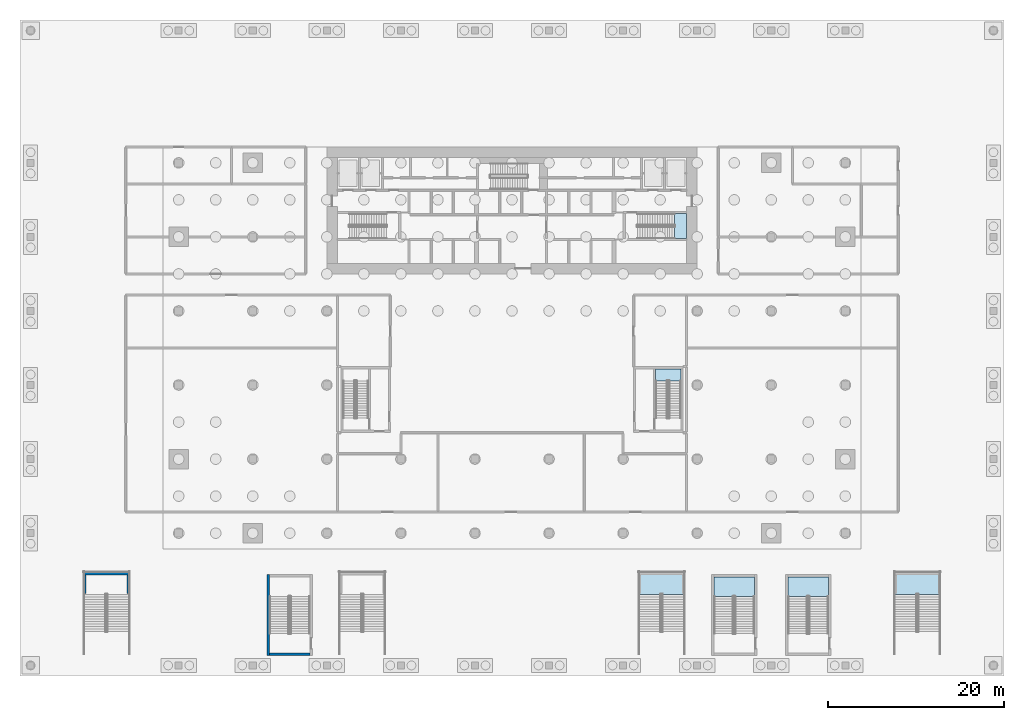
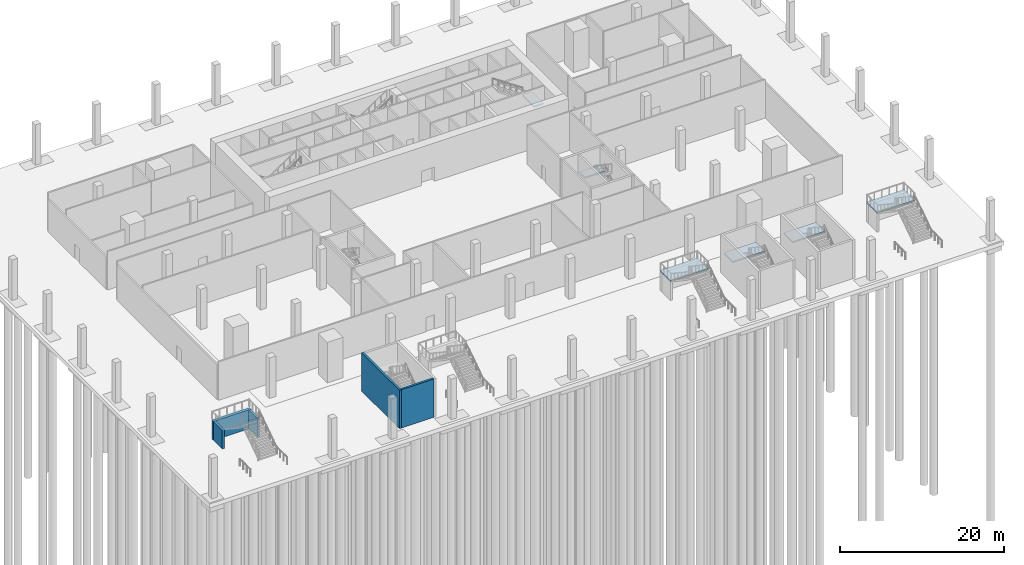
# One storey, part 3 of 16: 6 slabs, 5 walls, 6 elements without a shape of their own.
"""IFC4 building model written with IfcOpenShell, lengths in metres."""

from ifc_helpers import new_model, si_unit, direction, frame, frame_2d, origin, place, context, subcontext, project, spatial, polyline, rectangle, outline, extrude, material, layer, layer_set, type_object, element, aggregate, save


model = new_model("IFC4")

# Units and contexts
model_context = context("Model", 3, precision=1e-05, world=origin(), true_north=direction((0.0, 1.0)))
body_context = subcontext(model_context, "Body", "Model", "MODEL_VIEW")
ifc_project = project(units=[si_unit("LENGTHUNIT", "METRE"), si_unit("AREAUNIT", "SQUARE_METRE"), si_unit("VOLUMEUNIT", "CUBIC_METRE"), si_unit("PLANEANGLEUNIT", "RADIAN"), si_unit("MASSUNIT", "GRAM", prefix="KILO")], contexts=[model_context])

# Site, building, storey
site_placement = place(None, origin())
site = spatial("IfcSite", under=ifc_project, at=site_placement, CompositionType="ELEMENT")
building_placement = place(site_placement, origin())
building = spatial("IfcBuilding", under=site, at=building_placement, Name="Saffron Gate Tower", CompositionType="ELEMENT")
storey_placement = place(building_placement, frame((0.0, 0.0, -6.0)))
storey = spatial("IfcBuildingStorey", under=building, at=storey_placement, Name="B1", CompositionType="ELEMENT", Elevation=-6.0)

# Stair, slab
ifc_material_1 = material(Name="Concrete C40", Category="concrete")
stair_type_1 = type_object("IfcStairType", Name="ST1 Stair 2550 wide, 32 risers of 188", PredefinedType="HALF_TURN_STAIR", material=ifc_material_1)
stair_1_placement = place(storey_placement, origin())
stair_1 = element("IfcStair", 1, at=stair_1_placement, inside=storey, type_object=stair_type_1, Name="B1 Station stair 3", PredefinedType="HALF_TURN_STAIR")
ifc_layer_1 = layer(ifc_material_1, 0.199951171875)
ifc_layer_set_1 = layer_set([ifc_layer_1], Name="SL1 Stair landing 200")
slab_type = type_object("IfcSlabType", Name="SL1 Stair landing 200", PredefinedType="LANDING", material=ifc_layer_set_1)
slab_1_placement = place(storey_placement, frame((0.0, 0.0, 2.800048828125)))
slab_1 = element("IfcSlab", 2, at=slab_1_placement, type_object=slab_type, Name="SS3 landing 1", PredefinedType="LANDING", context=body_context, shape_type="SweptSolid", body=[
    extrude(outline(polyline([(107.199951171875, 24.85009765625), (107.199951171875, 27.449951171875), (101.949951171875, 27.449951171875), (101.949951171875, 24.85009765625), (107.199951171875, 24.85009765625)])), origin(), (0.0, 0.0, 1.0), 0.199951171875),
])
aggregate(stair_1, [slab_1])

stair_2_placement = place(storey_placement, origin())
stair_2 = element("IfcStair", 3, at=stair_2_placement, inside=storey, type_object=stair_type_1, Name="B1 Station stair 4", PredefinedType="HALF_TURN_STAIR")
slab_2_placement = place(storey_placement, frame((0.0, 0.0, 2.800048828125)))
slab_2 = element("IfcSlab", 4, at=slab_2_placement, type_object=slab_type, Name="SS4 landing 1", PredefinedType="LANDING", context=body_context, shape_type="SweptSolid", body=[
    extrude(outline(polyline([(136.199951171875, 24.85009765625), (136.199951171875, 27.449951171875), (130.949951171875, 27.449951171875), (130.949951171875, 24.85009765625), (136.199951171875, 24.85009765625)])), origin(), (0.0, 0.0, 1.0), 0.199951171875),
])
aggregate(stair_2, [slab_2])

stair_type_2 = type_object("IfcStairType", Name="ST2 Stair 1350 wide, 32 risers of 188", PredefinedType="HALF_TURN_STAIR", material=ifc_material_1)
stair_3_placement = place(storey_placement, origin())
stair_3 = element("IfcStair", 5, at=stair_3_placement, inside=storey, type_object=stair_type_2, Name="B1 Exit stair B", PredefinedType="HALF_TURN_STAIR")
slab_3_placement = place(storey_placement, frame((0.0, 0.0, 2.800048828125)))
slab_3 = element("IfcSlab", 6, at=slab_3_placement, type_object=slab_type, Name="ST-B landing 1", PredefinedType="LANDING", context=body_context, shape_type="SweptSolid", body=[
    extrude(outline(polyline([(106.050048828125, 65.199951171875), (107.39990234375, 65.199951171875), (107.39990234375, 68.050048828125), (106.050048828125, 68.050048828125), (106.050048828125, 65.199951171875)])), origin(), (0.0, 0.0, 1.0), 0.199951171875),
])
aggregate(stair_3, [slab_3])

stair_4_placement = place(storey_placement, origin())
stair_4 = element("IfcStair", 7, at=stair_4_placement, inside=storey, type_object=stair_type_2, Name="B1 Exit stair E", PredefinedType="HALF_TURN_STAIR")
slab_4_placement = place(storey_placement, frame((0.0, 0.0, 2.800048828125)))
slab_4 = element("IfcSlab", 8, at=slab_4_placement, type_object=slab_type, Name="ST-E landing 1", PredefinedType="LANDING", context=body_context, shape_type="SweptSolid", body=[
    extrude(outline(polyline([(106.75, 49.050048828125), (106.75, 50.39990234375), (103.89990234375, 50.39990234375), (103.89990234375, 49.050048828125), (106.75, 49.050048828125)])), origin(), (0.0, 0.0, 1.0), 0.199951171875),
])
aggregate(stair_4, [slab_4])

stair_type_3 = type_object("IfcStairType", Name="ST12 Stair 2200 wide, 32 risers of 188", PredefinedType="HALF_TURN_STAIR", material=ifc_material_1)
stair_5_placement = place(storey_placement, origin())
stair_5 = element("IfcStair", 9, at=stair_5_placement, inside=storey, type_object=stair_type_3, Name="B1 Exit stair M", PredefinedType="HALF_TURN_STAIR")
slab_5_placement = place(storey_placement, frame((0.0, 0.0, 2.800048828125)))
slab_5 = element("IfcSlab", 10, at=slab_5_placement, type_object=slab_type, Name="ST-M landing 1", PredefinedType="LANDING", context=body_context, shape_type="SweptSolid", body=[
    extrude(outline(polyline([(123.47509765625, 24.60009765625), (123.47509765625, 26.800048828125), (118.925048828125, 26.800048828125), (118.925048828125, 24.60009765625), (123.47509765625, 24.60009765625)])), origin(), (0.0, 0.0, 1.0), 0.199951171875),
])
aggregate(stair_5, [slab_5])

stair_6_placement = place(storey_placement, origin())
stair_6 = element("IfcStair", 11, at=stair_6_placement, inside=storey, type_object=stair_type_3, Name="B1 Exit stair N", PredefinedType="HALF_TURN_STAIR")
slab_6_placement = place(storey_placement, frame((0.0, 0.0, 2.800048828125)))
slab_6 = element("IfcSlab", 12, at=slab_6_placement, type_object=slab_type, Name="ST-N landing 1", PredefinedType="LANDING", context=body_context, shape_type="SweptSolid", body=[
    extrude(outline(polyline([(115.074951171875, 24.60009765625), (115.074951171875, 26.800048828125), (110.52490234375, 26.800048828125), (110.52490234375, 24.60009765625), (115.074951171875, 24.60009765625)])), origin(), (0.0, 0.0, 1.0), 0.199951171875),
])
aggregate(stair_6, [slab_6])

# Walls
ifc_material_2 = material(Name="Concrete C70", Category="concrete")
ifc_layer_2 = layer(ifc_material_2, 0.39990234375)
ifc_layer_set_2 = layer_set([ifc_layer_2], Name="CW32 RC stair support wall 400 C70")
wall_type_1 = type_object("IfcWallType", Name="CW32 RC stair support wall 400 C70", PredefinedType="SOLIDWALL", material=ifc_layer_set_2)
wall_1_placement = place(storey_placement, frame((44.25, 27.25, 0.0), z_axis=(0.0, 0.0, 1.0), x_axis=(-1.0, 0.0, 0.0)))
element("IfcWall", 13, at=wall_1_placement, inside=storey, type_object=wall_type_1, Name="Wall CW32-SS1-far", PredefinedType="SOLIDWALL", context=body_context, shape_type="SweptSolid", body=[
    extrude(rectangle(XDim=5.25, YDim=0.39990234375, at=frame_2d((2.625, 0.0))), origin(), (0.0, 0.0, 1.0), 2.800048828125),
])
ifc_layer_3 = layer(ifc_material_2, 0.300048828125)
ifc_layer_set_3 = layer_set([ifc_layer_3], Name="CW33 RC stair support wall 300 C70")
wall_type_2 = type_object("IfcWallType", Name="CW33 RC stair support wall 300 C70", PredefinedType="SOLIDWALL", material=ifc_layer_set_3)
for number, where, z_axis, x_axis, name in (
    (14, (44.10009765625, 24.949951171875, 0.0), (0.0, 0.0, 1.0), (0.0, 1.0, 0.0), "Wall CW33-SS1-side-a"),
    (15, (39.14990234375, 24.949951171875, 0.0), (0.0, 0.0, 1.0), (0.0, 1.0, 0.0), "Wall CW33-SS1-side-b"),
):
    element("IfcWall", number, at=place(storey_placement, frame(where, z_axis=z_axis, x_axis=x_axis)), inside=storey, type_object=wall_type_2, Name=name, PredefinedType="SOLIDWALL", context=body_context, shape_type="SweptSolid", body=[
        extrude(rectangle(XDim=2.10009765625, YDim=0.300048828125, at=frame_2d((1.050048828125, 0.0))), origin(), (0.0, 0.0, 1.0), 2.800048828125),
    ])
ifc_layer_4 = layer(ifc_material_2, 0.300048828125)
ifc_layer_set_4 = layer_set([ifc_layer_4], Name="CW5 RC core wall 300 C70")
wall_type_3 = type_object("IfcWallType", Name="CW5 RC core wall 300 C70", PredefinedType="SOLIDWALL", material=ifc_layer_set_4)
wall_2_placement = place(storey_placement, frame((59.97509765625, 17.89990234375, 0.0), z_axis=(0.0, 0.0, 1.0), x_axis=(0.0, 1.0, 0.0)))
element("IfcWall", 16, at=wall_2_placement, inside=storey, type_object=wall_type_3, Name="Wall CW5-B1-L-1", PredefinedType="SOLIDWALL", context=body_context, shape_type="SweptSolid", body=[
    extrude(rectangle(XDim=9.2001953125, YDim=0.300048828125, at=frame_2d((4.60009765625, 0.0))), origin(), (0.0, 0.0, 1.0), 5.699951171875),
])
wall_3_placement = place(storey_placement, frame((60.125, 18.050048828125, 0.0), z_axis=(0.0, 0.0, 1.0), x_axis=(1.0, 0.0, 0.0)))
element("IfcWall", 17, at=wall_3_placement, inside=storey, type_object=wall_type_3, Name="Wall CW5-B1-L-2", PredefinedType="SOLIDWALL", context=body_context, shape_type="SweptSolid", body=[
    extrude(rectangle(XDim=4.550048828125, YDim=0.300048828125, at=frame_2d((2.27490234375, 0.0))), origin(), (0.0, 0.0, 1.0), 5.699951171875),
])

save(model, "model.ifc")
